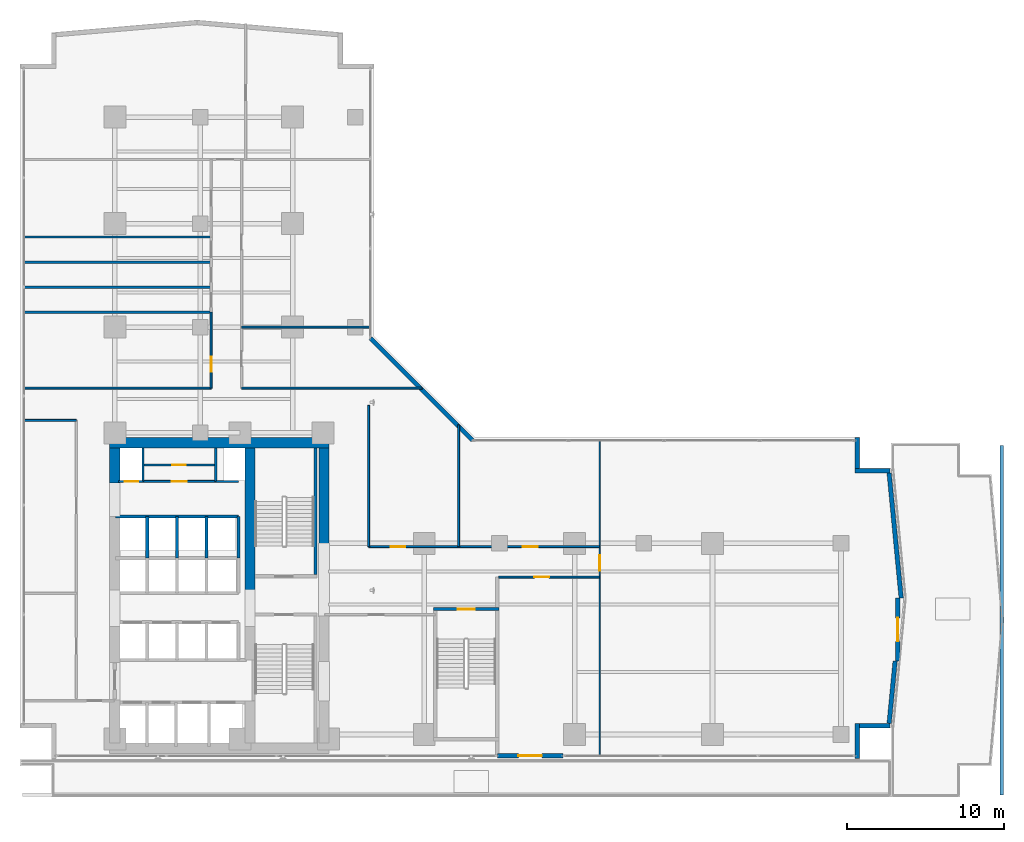
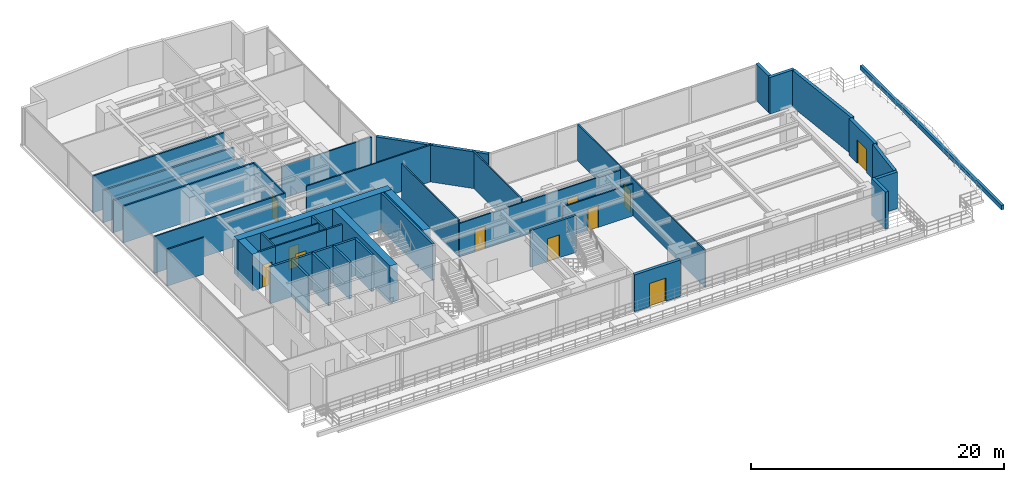
# One storey, part 19 of 26: 41 walls, 11 doors, 11 openings.
"""IFC4 building model written with IfcOpenShell, lengths in metres."""

from ifc_helpers import new_model, si_unit, direction, frame, frame_2d, origin, place, context, subcontext, project, spatial, rectangle, extrude, material, layer, layer_set, type_object, element, fill, save


model = new_model("IFC4")

# Units and contexts
model_context = context("Model", 3, precision=1e-05, world=origin(), true_north=direction((0.0, 1.0)))
body_context = subcontext(model_context, "Body", "Model", "MODEL_VIEW")
ifc_project = project(units=[si_unit("LENGTHUNIT", "METRE"), si_unit("AREAUNIT", "SQUARE_METRE"), si_unit("VOLUMEUNIT", "CUBIC_METRE"), si_unit("PLANEANGLEUNIT", "RADIAN"), si_unit("MASSUNIT", "GRAM", prefix="KILO")], contexts=[model_context])

# Site, building, storey
site_placement = place(None, origin())
site = spatial("IfcSite", under=ifc_project, at=site_placement, CompositionType="ELEMENT")
building_placement = place(site_placement, origin())
building = spatial("IfcBuilding", under=site, at=building_placement, Name="Kolvaren Waterfront Exchange", CompositionType="ELEMENT")
storey_placement = place(building_placement, frame((0.0, 0.0, 87.89990234375)))
storey = spatial("IfcBuildingStorey", under=building, at=storey_placement, Name="L22", CompositionType="ELEMENT", Elevation=87.89990234375)

# Wall, opening, door
ifc_material_1 = material(Name="Precast concrete C40/50", Category="concrete")
ifc_layer_1 = layer(ifc_material_1, 0.280029296875, Name="Precast concrete C40/50")
ifc_layer_set_1 = layer_set([ifc_layer_1], Name="Precast concrete C40/50")
wall_type_1 = type_object("IfcWallType", Name="ARC-EXT-TERR-280", PredefinedType="SOLIDWALL", material=ifc_layer_set_1)
wall_1_placement = place(storey_placement, frame((57.419921875, 9.89990234375, 0.0), z_axis=(0.0, 0.0, 1.0), x_axis=(0.0, 1.0, 0.0)))
wall_1 = element("IfcWall", 1, at=wall_1_placement, inside=storey, type_object=wall_type_1, Name="L22 east sky-garden access wall 1", PredefinedType="SOLIDWALL", context=body_context, shape_type="SweptSolid", body=[
    extrude(rectangle(XDim=4.0, YDim=0.280029296875, at=frame_2d((2.0, 0.0))), origin(), (0.0, 0.0, 1.0), 3.5400390625),
])
opening_1_placement = place(wall_1_placement, frame((1.25, 0.0, 0.0)))
opening_1 = element("IfcOpeningElement", 2, at=opening_1_placement, cuts=wall_1, Name="Opening TD1", PredefinedType="OPENING", context=body_context, shape_type="SweptSolid", body=[
    extrude(rectangle(XDim=1.5, YDim=2.25, at=frame_2d((0.75, 1.125))), frame((0.0, 0.14990234375, 0.0), z_axis=(0.0, -1.0, 0.0), x_axis=(1.0, 0.0, 0.0)), (0.0, 0.0, 1.0), 0.300048828125),
])
ifc_material_2 = material(Name="Anodised bronze aluminium and glass", Category="aluminium")
door_type_1 = type_object("IfcDoorType", Name="ARC-TD-1500", OperationType="NOTDEFINED", PredefinedType="DOOR", material=ifc_material_2)
door_1_placement = place(opening_1_placement, frame((1.5, 0.0, 0.0), z_axis=(0.0, 0.0, 1.0), x_axis=(-1.0, 0.0, 0.0)))
door_1 = element("IfcDoor", 3, at=door_1_placement, inside=storey, type_object=door_type_1, Name="L22 planted sky-garden terrace door 1", OperationType="SINGLE_SWING_LEFT", OverallHeight=2.25, OverallWidth=1.5, PredefinedType="DOOR", context=body_context, shape_type="SweptSolid", body=[
    extrude(rectangle(XDim=1.5, YDim=2.25, at=frame_2d((0.75, 1.125))), frame((0.0, 0.02490234375, 0.0), z_axis=(0.0, -1.0, 0.0), x_axis=(1.0, 0.0, 0.0)), (0.0, 0.0, 1.0), 0.050048828125),
])
fill(opening_1, door_1)

wall_2_placement = place(storey_placement, frame((31.860107421875, 3.840087890625, 0.0), z_axis=(0.0, 0.0, 1.0), x_axis=(1.0, 0.0, 0.0)))
wall_2 = element("IfcWall", 4, at=wall_2_placement, inside=storey, type_object=wall_type_1, Name="L22 south sky-garden access wall 2", PredefinedType="SOLIDWALL", context=body_context, shape_type="SweptSolid", body=[
    extrude(rectangle(XDim=4.18994140625, YDim=0.280029296875, at=frame_2d((2.094970703125, 0.0))), origin(), (0.0, 0.0, 1.0), 3.5400390625),
])
opening_2_placement = place(wall_2_placement, frame((1.35009765625, 0.0, 0.0)))
opening_2 = element("IfcOpeningElement", 5, at=opening_2_placement, cuts=wall_2, Name="Opening TD1", PredefinedType="OPENING", context=body_context, shape_type="SweptSolid", body=[
    extrude(rectangle(XDim=1.5, YDim=2.25, at=frame_2d((0.75, 1.125))), frame((0.0, 0.14990234375, 0.0), z_axis=(0.0, -1.0, 0.0), x_axis=(1.0, 0.0, 0.0)), (0.0, 0.0, 1.0), 0.300048828125),
])
door_2_placement = place(opening_2_placement, frame((1.5, 0.0, 0.0), z_axis=(0.0, 0.0, 1.0), x_axis=(-1.0, 0.0, 0.0)))
door_2 = element("IfcDoor", 6, at=door_2_placement, inside=storey, type_object=door_type_1, Name="L22 planted sky-garden terrace door 2", OperationType="SINGLE_SWING_RIGHT", OverallHeight=2.25, OverallWidth=1.5, PredefinedType="DOOR", context=body_context, shape_type="SweptSolid", body=[
    extrude(rectangle(XDim=1.5, YDim=2.25, at=frame_2d((0.75, 1.125))), frame((0.0, 0.02490234375, 0.0), z_axis=(0.0, -1.0, 0.0), x_axis=(1.0, 0.0, 0.0)), (0.0, 0.0, 1.0), 0.050048828125),
])
fill(opening_2, door_2)

# Walls
wall_3_placement = place(storey_placement, frame((54.840087890625, 3.659912109375, 0.0), z_axis=(0.0, 0.0, 1.0), x_axis=(0.0, 1.0, 0.0)))
element("IfcWall", 7, at=wall_3_placement, inside=storey, type_object=wall_type_1, Name="L22 notched corner spandrel pier SE-A", PredefinedType="SOLIDWALL", context=body_context, shape_type="SweptSolid", body=[
    extrude(rectangle(XDim=2.239990234375, YDim=0.280029296875, at=frame_2d((1.1201171875, 0.0))), origin(), (0.0, 0.0, 1.0), 3.5400390625),
])
wall_4_placement = place(storey_placement, frame((54.97998046875, 5.760009765625, 0.0), z_axis=(0.0, 0.0, 1.0), x_axis=(1.0, 0.0, 0.0)))
element("IfcWall", 8, at=wall_4_placement, inside=storey, type_object=wall_type_1, Name="L22 notched corner spandrel pier SE-B", PredefinedType="SOLIDWALL", context=body_context, shape_type="SweptSolid", body=[
    extrude(rectangle(XDim=1.9599609375, YDim=0.280029296875, at=frame_2d((0.97998046875, 0.0))), origin(), (0.0, 0.0, 1.0), 3.5400390625),
])
wall_5_placement = place(storey_placement, frame((54.840087890625, 22.1650390625, 0.0), z_axis=(0.0, 0.0, 1.0), x_axis=(0.0, 1.0, 0.0)))
element("IfcWall", 9, at=wall_5_placement, inside=storey, type_object=wall_type_1, Name="L22 notched corner spandrel pier ENE-A", PredefinedType="SOLIDWALL", context=body_context, shape_type="SweptSolid", body=[
    extrude(rectangle(XDim=1.974853515625, YDim=0.280029296875, at=frame_2d((0.9873046875, 0.0))), origin(), (0.0, 0.0, 1.0), 3.5400390625),
])
wall_6_placement = place(storey_placement, frame((54.699951171875, 22.0400390625, 0.0), z_axis=(0.0, 0.0, 1.0), x_axis=(1.0, 0.0, 0.0)))
element("IfcWall", 10, at=wall_6_placement, inside=storey, type_object=wall_type_1, Name="L22 notched corner spandrel pier ENE-B", PredefinedType="SOLIDWALL", context=body_context, shape_type="SweptSolid", body=[
    extrude(rectangle(XDim=2.239990234375, YDim=0.280029296875, at=frame_2d((1.1201171875, 0.0))), origin(), (0.0, 0.0, 1.0), 3.5400390625),
])
wall_7_placement = place(storey_placement, frame((30.284912109375, 23.97509765625, 0.0), z_axis=(0.0, 0.0, 1.0), x_axis=(-0.707106781187, 0.707106781187, 0.0)))
element("IfcWall", 11, at=wall_7_placement, inside=storey, type_object=wall_type_1, Name="L22 notched corner spandrel pier ELBOW", PredefinedType="SOLIDWALL", context=body_context, shape_type="SweptSolid", body=[
    extrude(rectangle(XDim=9.20654296875, YDim=0.280029296875, at=frame_2d((4.603271484375, 0.0))), origin(), (0.0, 0.0, 1.0), 3.5400390625),
])
wall_8_placement = place(storey_placement, frame((56.869384765625, 5.9140625, 0.0), z_axis=(0.0, 0.0, 1.0), x_axis=(0.095962807789, 0.99538492028, 0.0)))
element("IfcWall", 12, at=wall_8_placement, inside=storey, type_object=wall_type_1, Name="L22 east prow lower facade wall", PredefinedType="SOLIDWALL", context=body_context, shape_type="SweptSolid", body=[
    extrude(rectangle(XDim=3.994384765625, YDim=0.280029296875, at=frame_2d((1.9970703125, 0.0))), origin(), (0.0, 0.0, 1.0), 3.5400390625),
])
wall_9_placement = place(storey_placement, frame((57.63818359375, 13.909912109375, 0.0), z_axis=(0.0, 0.0, 1.0), x_axis=(-0.095943464516, 0.995386784932, 0.0)))
element("IfcWall", 13, at=wall_9_placement, inside=storey, type_object=wall_type_1, Name="L22 east prow upper facade wall", PredefinedType="SOLIDWALL", context=body_context, shape_type="SweptSolid", body=[
    extrude(rectangle(XDim=8.012939453125, YDim=0.280029296875, at=frame_2d((4.00634765625, 0.0))), origin(), (0.0, 0.0, 1.0), 3.5400390625),
])
ifc_layer_2 = layer(ifc_material_1, 0.239990234375, Name="Precast concrete C40/50")
ifc_layer_set_2 = layer_set([ifc_layer_2], Name="Precast concrete C40/50")
wall_type_2 = type_object("IfcWallType", Name="ARC-PARAPET-240", PredefinedType="PARAPET", material=ifc_layer_set_2)
wall_10_placement = place(storey_placement, frame((64.050048828125, 1.35009765625, 0.0), z_axis=(0.0, 0.0, 1.0), x_axis=(0.0, 1.0, 0.0)))
element("IfcWall", 14, at=wall_10_placement, inside=storey, type_object=wall_type_2, Name="L22 setback parapet kerb 1", PredefinedType="PARAPET", context=body_context, shape_type="SweptSolid", body=[
    extrude(rectangle(XDim=22.2998046875, YDim=0.239990234375, at=frame_2d((11.14990234375, 0.0))), origin(), (0.0, 0.0, 1.0), 0.420166015625),
])

# Wall, opening, door
ifc_material_3 = material(Name="Acoustic gypsum steel stud", Category="steel")
ifc_layer_3 = layer(ifc_material_3, 0.125, Name="Acoustic gypsum steel stud")
ifc_layer_set_3 = layer_set([ifc_layer_3], Name="Acoustic gypsum steel stud")
wall_type_3 = type_object("IfcWallType", Name="ARC-PART-125", PredefinedType="PARTITIONING", material=ifc_layer_set_3)
wall_11_placement = place(storey_placement, frame((9.25, 21.35009765625, 0.0), z_axis=(0.0, 0.0, 1.0), x_axis=(1.0, 0.0, 0.0)))
wall_11 = element("IfcWall", 15, at=wall_11_placement, inside=storey, type_object=wall_type_3, Name="L22 interior wall PW-L22-SVC-EX-S", PredefinedType="PARTITIONING", context=body_context, shape_type="SweptSolid", body=[
    extrude(rectangle(XDim=4.64990234375, YDim=0.125, at=frame_2d((2.324951171875, 0.0))), origin(), (0.0, 0.0, 1.0), 3.5400390625),
])
opening_3_placement = place(wall_11_placement, frame((1.85009765625, 0.0, 0.0)))
opening_3 = element("IfcOpeningElement", 16, at=opening_3_placement, cuts=wall_11, Name="Opening D02", PredefinedType="OPENING", context=body_context, shape_type="SweptSolid", body=[
    extrude(rectangle(XDim=0.949951171875, YDim=2.14990234375, at=frame_2d((0.47509765625, 1.074951171875))), frame((0.0, 0.072509765625, 0.0), z_axis=(0.0, -1.0, 0.0), x_axis=(1.0, 0.0, 0.0)), (0.0, 0.0, 1.0), 0.14501953125),
])
ifc_material_4 = material(Name="Oak veneer acoustic timber", Category="wood")
door_type_2 = type_object("IfcDoorType", Name="ARC-DR-950", OperationType="NOTDEFINED", PredefinedType="DOOR", material=ifc_material_4)
door_3_placement = place(opening_3_placement, origin())
door_3 = element("IfcDoor", 17, at=door_3_placement, inside=storey, type_object=door_type_2, Name="L22 door DR-L22-SVC-DR-1 (D02)", OperationType="SINGLE_SWING_RIGHT", OverallHeight=2.14990234375, OverallWidth=0.949951171875, PredefinedType="DOOR", context=body_context, shape_type="SweptSolid", body=[
    extrude(rectangle(XDim=0.949951171875, YDim=2.14990234375, at=frame_2d((0.47509765625, 1.074951171875))), frame((0.0, 0.02490234375, 0.0), z_axis=(0.0, -1.0, 0.0), x_axis=(1.0, 0.0, 0.0)), (0.0, 0.0, 1.0), 0.050048828125),
])
fill(opening_3, door_3)

wall_12_placement = place(storey_placement, frame((9.25, 22.39990234375, 0.0), z_axis=(0.0, 0.0, 1.0), x_axis=(1.0, 0.0, 0.0)))
wall_12 = element("IfcWall", 18, at=wall_12_placement, inside=storey, type_object=wall_type_3, Name="L22 interior wall PW-L22-SVC-EX-HS", PredefinedType="PARTITIONING", context=body_context, shape_type="SweptSolid", body=[
    extrude(rectangle(XDim=4.64990234375, YDim=0.125, at=frame_2d((2.324951171875, 0.0))), origin(), (0.0, 0.0, 1.0), 3.5400390625),
])
opening_4_placement = place(wall_12_placement, frame((1.875, 0.0, 0.0)))
opening_4 = element("IfcOpeningElement", 19, at=opening_4_placement, cuts=wall_12, Name="Opening D01", PredefinedType="OPENING", context=body_context, shape_type="SweptSolid", body=[
    extrude(rectangle(XDim=0.85009765625, YDim=2.14990234375, at=frame_2d((0.425048828125, 1.074951171875))), frame((0.0, 0.072509765625, 0.0), z_axis=(0.0, -1.0, 0.0), x_axis=(1.0, 0.0, 0.0)), (0.0, 0.0, 1.0), 0.14501953125),
])
ifc_material_5 = material(Name="Oak veneer timber leaf", Category="wood")
door_type_3 = type_object("IfcDoorType", Name="ARC-DR-900", OperationType="NOTDEFINED", PredefinedType="DOOR", material=ifc_material_5)
door_4_placement = place(opening_4_placement, origin())
door_4 = element("IfcDoor", 20, at=door_4_placement, inside=storey, type_object=door_type_3, Name="L22 door DR-L22-SVC-DR-2 (D01)", OperationType="SINGLE_SWING_LEFT", OverallHeight=2.14990234375, OverallWidth=0.85009765625, PredefinedType="DOOR", context=body_context, shape_type="SweptSolid", body=[
    extrude(rectangle(XDim=0.85009765625, YDim=2.14990234375, at=frame_2d((0.425048828125, 1.074951171875))), frame((0.0, 0.02490234375, 0.0), z_axis=(0.0, -1.0, 0.0), x_axis=(1.0, 0.0, 0.0)), (0.0, 0.0, 1.0), 0.050048828125),
])
fill(opening_4, door_4)

wall_13_placement = place(storey_placement, frame((13.60009765625, 27.300048828125, 0.0), z_axis=(0.0, 0.0, 1.0), x_axis=(0.0, 1.0, 0.0)))
wall_13 = element("IfcWall", 21, at=wall_13_placement, inside=storey, type_object=wall_type_3, Name="L22 interior wall PW-L22-PREWC-E", PredefinedType="PARTITIONING", context=body_context, shape_type="SweptSolid", body=[
    extrude(rectangle(XDim=4.849853515625, YDim=0.125, at=frame_2d((2.4248046875, 0.0))), origin(), (0.0, 0.0, 1.0), 3.5400390625),
])
opening_5_placement = place(wall_13_placement, frame((1.050048828125, 0.0, 0.0)))
opening_5 = element("IfcOpeningElement", 22, at=opening_5_placement, cuts=wall_13, Name="Opening D02", PredefinedType="OPENING", context=body_context, shape_type="SweptSolid", body=[
    extrude(rectangle(XDim=0.949951171875, YDim=2.14990234375, at=frame_2d((0.47509765625, 1.074951171875))), frame((0.0, 0.072509765625, 0.0), z_axis=(0.0, -1.0, 0.0), x_axis=(1.0, 0.0, 0.0)), (0.0, 0.0, 1.0), 0.14501953125),
])
door_5_placement = place(opening_5_placement, origin())
door_5 = element("IfcDoor", 23, at=door_5_placement, inside=storey, type_object=door_type_2, Name="L22 door DR-L22-PREWC-D (D02)", OperationType="SINGLE_SWING_RIGHT", OverallHeight=2.14990234375, OverallWidth=0.949951171875, PredefinedType="DOOR", context=body_context, shape_type="SweptSolid", body=[
    extrude(rectangle(XDim=0.949951171875, YDim=2.14990234375, at=frame_2d((0.47509765625, 1.074951171875))), frame((0.0, 0.02490234375, 0.0), z_axis=(0.0, -1.0, 0.0), x_axis=(1.0, 0.0, 0.0)), (0.0, 0.0, 1.0), 0.050048828125),
])
fill(opening_5, door_5)

# Walls
wall_14_placement = place(storey_placement, frame((1.639892578125, 27.300048828125, 0.0), z_axis=(0.0, 0.0, 1.0), x_axis=(1.0, 0.0, 0.0)))
element("IfcWall", 24, at=wall_14_placement, inside=storey, type_object=wall_type_3, Name="L22 interior wall PW-L22-PREWC-S", PredefinedType="PARTITIONING", context=body_context, shape_type="SweptSolid", body=[
    extrude(rectangle(XDim=11.960205078125, YDim=0.125, at=frame_2d((5.97998046875, 0.0))), origin(), (0.0, 0.0, 1.0), 3.5400390625),
])
wall_15_placement = place(storey_placement, frame((1.639892578125, 25.25, 0.0), z_axis=(0.0, 0.0, 1.0), x_axis=(1.0, 0.0, 0.0)))
element("IfcWall", 25, at=wall_15_placement, inside=storey, type_object=wall_type_3, Name="L22 interior wall PW-L22-WFLANK-N", PredefinedType="PARTITIONING", context=body_context, shape_type="SweptSolid", body=[
    extrude(rectangle(XDim=3.360107421875, YDim=0.125, at=frame_2d((1.68017578125, 0.0))), origin(), (0.0, 0.0, 1.0), 3.5400390625),
])

# Wall, opening, door
wall_16_placement = place(storey_placement, frame((31.949951171875, 15.25, 0.0), z_axis=(0.0, 0.0, 1.0), x_axis=(1.0, 0.0, 0.0)))
wall_16 = element("IfcWall", 26, at=wall_16_placement, inside=storey, type_object=wall_type_3, Name="L22 interior wall PW-L22-ES-CORR", PredefinedType="PARTITIONING", context=body_context, shape_type="SweptSolid", body=[
    extrude(rectangle(XDim=6.449951171875, YDim=0.125, at=frame_2d((3.22509765625, 0.0))), origin(), (0.0, 0.0, 1.0), 3.090087890625),
])
opening_6_placement = place(wall_16_placement, frame((2.27490234375, 0.0, 0.0)))
opening_6 = element("IfcOpeningElement", 27, at=opening_6_placement, cuts=wall_16, Name="Opening D02", PredefinedType="OPENING", context=body_context, shape_type="SweptSolid", body=[
    extrude(rectangle(XDim=0.949951171875, YDim=2.14990234375, at=frame_2d((0.47509765625, 1.074951171875))), frame((0.0, 0.072509765625, 0.0), z_axis=(0.0, -1.0, 0.0), x_axis=(1.0, 0.0, 0.0)), (0.0, 0.0, 1.0), 0.14501953125),
])
door_6_placement = place(opening_6_placement, origin())
door_6 = element("IfcDoor", 28, at=door_6_placement, inside=storey, type_object=door_type_2, Name="L22 door DR-L22-ES-D-1 (D02)", OperationType="SINGLE_SWING_RIGHT", OverallHeight=2.14990234375, OverallWidth=0.949951171875, PredefinedType="DOOR", context=body_context, shape_type="SweptSolid", body=[
    extrude(rectangle(XDim=0.949951171875, YDim=2.14990234375, at=frame_2d((0.47509765625, 1.074951171875))), frame((0.0, 0.02490234375, 0.0), z_axis=(0.0, -1.0, 0.0), x_axis=(1.0, 0.0, 0.0)), (0.0, 0.0, 1.0), 0.050048828125),
])
fill(opening_6, door_6)

wall_17_placement = place(storey_placement, frame((38.39990234375, 3.840087890625, 0.0), z_axis=(0.0, 0.0, 1.0), x_axis=(0.0, 1.0, 0.0)))
wall_17 = element("IfcWall", 29, at=wall_17_placement, inside=storey, type_object=wall_type_3, Name="L22 interior wall PW-L22-ETIP-W", PredefinedType="PARTITIONING", context=body_context, shape_type="SweptSolid", body=[
    extrude(rectangle(XDim=20.119873046875, YDim=0.125, at=frame_2d((10.06005859375, 0.0))), origin(), (0.0, 0.0, 1.0), 3.5400390625),
])
opening_7_placement = place(wall_17_placement, frame((11.81005859375, 0.0, 0.0)))
opening_7 = element("IfcOpeningElement", 30, at=opening_7_placement, cuts=wall_17, Name="Opening D03", PredefinedType="OPENING", context=body_context, shape_type="SweptSolid", body=[
    extrude(rectangle(XDim=1.0, YDim=2.199951171875, at=frame_2d((0.5, 1.10009765625))), frame((0.0, 0.072509765625, 0.0), z_axis=(0.0, -1.0, 0.0), x_axis=(1.0, 0.0, 0.0)), (0.0, 0.0, 1.0), 0.14501953125),
])
ifc_material_6 = material(Name="Oak veneer accessible timber", Category="wood")
door_type_4 = type_object("IfcDoorType", Name="ARC-DR-1000", OperationType="NOTDEFINED", PredefinedType="DOOR", material=ifc_material_6)
door_7_placement = place(opening_7_placement, origin())
door_7 = element("IfcDoor", 31, at=door_7_placement, inside=storey, type_object=door_type_4, Name="L22 door DR-L22-ETIP-D (D03)", OperationType="SINGLE_SWING_LEFT", OverallHeight=2.199951171875, OverallWidth=1.0, PredefinedType="DOOR", context=body_context, shape_type="SweptSolid", body=[
    extrude(rectangle(XDim=1.0, YDim=2.199951171875, at=frame_2d((0.5, 1.10009765625))), frame((0.0, 0.02490234375, 0.0), z_axis=(0.0, -1.0, 0.0), x_axis=(1.0, 0.0, 0.0)), (0.0, 0.0, 1.0), 0.050048828125),
])
fill(opening_7, door_7)

# Wall
wall_18_placement = place(storey_placement, frame((23.64990234375, 17.18994140625, 0.0), z_axis=(0.0, 0.0, 1.0), x_axis=(0.0, 1.0, 0.0)))
element("IfcWall", 32, at=wall_18_placement, inside=storey, type_object=wall_type_3, Name="L22 interior wall PW-L22-EN-W0", PredefinedType="PARTITIONING", context=body_context, shape_type="SweptSolid", body=[
    extrude(rectangle(XDim=9.010009765625, YDim=0.125, at=frame_2d((4.5048828125, 0.0))), origin(), (0.0, 0.0, 1.0), 3.5400390625),
])

# Wall, openings, doors
wall_19_placement = place(storey_placement, frame((23.64990234375, 17.18994140625, 0.0), z_axis=(0.0, 0.0, 1.0), x_axis=(1.0, 0.0, 0.0)))
wall_19 = element("IfcWall", 33, at=wall_19_placement, inside=storey, type_object=wall_type_3, Name="L22 interior wall PW-L22-EN-CORR", PredefinedType="PARTITIONING", context=body_context, shape_type="SweptSolid", body=[
    extrude(rectangle(XDim=14.75, YDim=0.125, at=frame_2d((7.375, 0.0))), origin(), (0.0, 0.0, 1.0), 3.239990234375),
])
opening_8_placement = place(wall_19_placement, frame((1.39990234375, 0.0, 0.0)))
opening_8 = element("IfcOpeningElement", 34, at=opening_8_placement, cuts=wall_19, Name="Opening D02", PredefinedType="OPENING", context=body_context, shape_type="SweptSolid", body=[
    extrude(rectangle(XDim=0.949951171875, YDim=2.14990234375, at=frame_2d((0.47509765625, 1.074951171875))), frame((0.0, 0.072509765625, 0.0), z_axis=(0.0, -1.0, 0.0), x_axis=(1.0, 0.0, 0.0)), (0.0, 0.0, 1.0), 0.14501953125),
])
opening_9_placement = place(wall_19_placement, frame((9.84619140625, 0.0, 0.0)))
opening_9 = element("IfcOpeningElement", 35, at=opening_9_placement, cuts=wall_19, Name="Opening D02", PredefinedType="OPENING", context=body_context, shape_type="SweptSolid", body=[
    extrude(rectangle(XDim=0.949951171875, YDim=2.14990234375, at=frame_2d((0.47509765625, 1.074951171875))), frame((0.0, 0.072509765625, 0.0), z_axis=(0.0, -1.0, 0.0), x_axis=(1.0, 0.0, 0.0)), (0.0, 0.0, 1.0), 0.14501953125),
])
door_8_placement = place(opening_8_placement, origin())
door_8 = element("IfcDoor", 36, at=door_8_placement, inside=storey, type_object=door_type_2, Name="L22 door DR-L22-EN-D-1 (D02)", OperationType="SINGLE_SWING_RIGHT", OverallHeight=2.14990234375, OverallWidth=0.949951171875, PredefinedType="DOOR", context=body_context, shape_type="SweptSolid", body=[
    extrude(rectangle(XDim=0.949951171875, YDim=2.14990234375, at=frame_2d((0.47509765625, 1.074951171875))), frame((0.0, 0.02490234375, 0.0), z_axis=(0.0, -1.0, 0.0), x_axis=(1.0, 0.0, 0.0)), (0.0, 0.0, 1.0), 0.050048828125),
])
fill(opening_8, door_8)
door_9_placement = place(opening_9_placement, origin())
door_9 = element("IfcDoor", 37, at=door_9_placement, inside=storey, type_object=door_type_2, Name="L22 door DR-L22-EN-D-2 (D02)", OperationType="SINGLE_SWING_LEFT", OverallHeight=2.14990234375, OverallWidth=0.949951171875, PredefinedType="DOOR", context=body_context, shape_type="SweptSolid", body=[
    extrude(rectangle(XDim=0.949951171875, YDim=2.14990234375, at=frame_2d((0.47509765625, 1.074951171875))), frame((0.0, 0.02490234375, 0.0), z_axis=(0.0, -1.0, 0.0), x_axis=(1.0, 0.0, 0.0)), (0.0, 0.0, 1.0), 0.050048828125),
])
fill(opening_9, door_9)

# Walls
wall_20_placement = place(storey_placement, frame((29.39990234375, 17.18994140625, 0.0), z_axis=(0.0, 0.0, 1.0), x_axis=(0.0, 1.0, 0.0)))
element("IfcWall", 38, at=wall_20_placement, inside=storey, type_object=wall_type_3, Name="L22 interior wall PW-L22-EN-DIV-1", PredefinedType="PARTITIONING", context=body_context, shape_type="SweptSolid", body=[
    extrude(rectangle(XDim=7.77001953125, YDim=0.125, at=frame_2d((3.885009765625, 0.0))), origin(), (0.0, 0.0, 1.0), 3.5400390625),
])
wall_21_placement = place(storey_placement, frame((15.5400390625, 27.300048828125, 0.0), z_axis=(0.0, 0.0, 1.0), x_axis=(1.0, 0.0, 0.0)))
element("IfcWall", 39, at=wall_21_placement, inside=storey, type_object=wall_type_3, Name="L22 interior wall PW-L22-NE-S0", PredefinedType="PARTITIONING", context=body_context, shape_type="SweptSolid", body=[
    extrude(rectangle(XDim=11.52001953125, YDim=0.125, at=frame_2d((5.760009765625, 0.0))), origin(), (0.0, 0.0, 1.0), 3.5400390625),
])
wall_22_placement = place(storey_placement, frame((15.5400390625, 31.199951171875, 0.0), z_axis=(0.0, 0.0, 1.0), x_axis=(1.0, 0.0, 0.0)))
element("IfcWall", 40, at=wall_22_placement, inside=storey, type_object=wall_type_3, Name="L22 interior wall PW-L22-NE-DIV-1", PredefinedType="PARTITIONING", context=body_context, shape_type="SweptSolid", body=[
    extrude(rectangle(XDim=8.219970703125, YDim=0.125, at=frame_2d((4.10986328125, 0.0))), origin(), (0.0, 0.0, 1.0), 3.0400390625),
])
ifc_material_7 = material(Name="Gypsum fireboard steel stud", Category="steel")
ifc_layer_4 = layer(ifc_material_7, 0.14990234375, Name="Gypsum fireboard steel stud")
ifc_layer_set_4 = layer_set([ifc_layer_4], Name="Gypsum fireboard steel stud")
wall_type_4 = type_object("IfcWallType", Name="ARC-PART-150", PredefinedType="PARTITIONING", material=ifc_layer_set_4)
for number, where, z_axis, x_axis, name in (
    (41, (9.25, 21.35009765625, 0.0), (0.0, 0.0, 1.0), (0.0, 1.0, 0.0), "L22 interior wall PW-L22-SVC-R1"),
    (42, (13.89990234375, 21.35009765625, 0.0), (0.0, 0.0, 1.0), (0.0, 1.0, 0.0), "L22 interior wall PW-L22-SVC-R2"),
):
    element("IfcWall", number, at=place(storey_placement, frame(where, z_axis=z_axis, x_axis=x_axis)), inside=storey, type_object=wall_type_4, Name=name, PredefinedType="PARTITIONING", context=body_context, shape_type="SweptSolid", body=[
        extrude(rectangle(XDim=2.1298828125, YDim=0.14990234375, at=frame_2d((1.06494140625, 0.0))), origin(), (0.0, 0.0, 1.0), 3.5400390625),
    ])

# Wall, opening, door
wall_23_placement = place(storey_placement, frame((7.699951171875, 21.35009765625, 0.0), z_axis=(0.0, 0.0, 1.0), x_axis=(1.0, 0.0, 0.0)))
wall_23 = element("IfcWall", 43, at=wall_23_placement, inside=storey, type_object=wall_type_4, Name="L22 interior wall PW-L22-SVC-RE-S", PredefinedType="PARTITIONING", context=body_context, shape_type="SweptSolid", body=[
    extrude(rectangle(XDim=1.550048828125, YDim=0.14990234375, at=frame_2d((0.77490234375, 0.0))), origin(), (0.0, 0.0, 1.0), 3.5400390625),
])
opening_10_placement = place(wall_23_placement, frame((0.389892578125, 0.0, 0.0)))
opening_10 = element("IfcOpeningElement", 44, at=opening_10_placement, cuts=wall_23, Name="Opening FD1", PredefinedType="OPENING", context=body_context, shape_type="SweptSolid", body=[
    extrude(rectangle(XDim=0.85009765625, YDim=2.14990234375, at=frame_2d((0.425048828125, 1.074951171875))), frame((0.0, 0.0849609375, 0.0), z_axis=(0.0, -1.0, 0.0), x_axis=(1.0, 0.0, 0.0)), (0.0, 0.0, 1.0), 0.169921875),
])
ifc_material_8 = material(Name="Pressed steel fire leaf", Category="steel")
door_type_5 = type_object("IfcDoorType", Name="ARC-FD-900", OperationType="NOTDEFINED", PredefinedType="DOOR", material=ifc_material_8)
door_10_placement = place(opening_10_placement, origin())
door_10 = element("IfcDoor", 45, at=door_10_placement, inside=storey, type_object=door_type_5, Name="L22 door DR-L22-RISER-E-DR (FD1)", OperationType="SINGLE_SWING_LEFT", OverallHeight=2.14990234375, OverallWidth=0.85009765625, PredefinedType="DOOR", context=body_context, shape_type="SweptSolid", body=[
    extrude(rectangle(XDim=0.85009765625, YDim=2.14990234375, at=frame_2d((0.425048828125, 1.074951171875))), frame((0.0, 0.02490234375, 0.0), z_axis=(0.0, -1.0, 0.0), x_axis=(1.0, 0.0, 0.0)), (0.0, 0.0, 1.0), 0.050048828125),
])
fill(opening_10, door_10)

# Walls
wall_24_placement = place(storey_placement, frame((13.89990234375, 21.35009765625, 0.0), z_axis=(0.0, 0.0, 1.0), x_axis=(1.0, 0.0, 0.0)))
element("IfcWall", 46, at=wall_24_placement, inside=storey, type_object=wall_type_4, Name="L22 interior wall PW-L22-SVC-RP-S", PredefinedType="PARTITIONING", context=body_context, shape_type="SweptSolid", body=[
    extrude(rectangle(XDim=1.4501953125, YDim=0.14990234375, at=frame_2d((0.72509765625, 0.0))), origin(), (0.0, 0.0, 1.0), 3.5400390625),
])
ifc_material_9 = material(Name="Moisture-resistant gypsum stud")
ifc_layer_5 = layer(ifc_material_9, 0.14990234375, Name="Moisture-resistant gypsum stud")
ifc_layer_set_5 = layer_set([ifc_layer_5], Name="Moisture-resistant gypsum stud")
wall_type_5 = type_object("IfcWallType", Name="ARC-PLUMB-150", PredefinedType="PLUMBINGWALL", material=ifc_layer_set_5)
wall_25_placement = place(storey_placement, frame((1.639892578125, 32.14990234375, 0.0), z_axis=(0.0, 0.0, 1.0), x_axis=(1.0, 0.0, 0.0)))
element("IfcWall", 47, at=wall_25_placement, inside=storey, type_object=wall_type_5, Name="L22 interior wall PW-L22-WC-0", PredefinedType="PLUMBINGWALL", context=body_context, shape_type="SweptSolid", body=[
    extrude(rectangle(XDim=11.960205078125, YDim=0.14990234375, at=frame_2d((5.97998046875, 0.0))), origin(), (0.0, 0.0, 1.0), 3.5400390625),
])
for number, where, z_axis, x_axis, name in (
    (48, (1.639892578125, 33.75, 0.0), (0.0, 0.0, 1.0), (1.0, 0.0, 0.0), "L22 interior wall PW-L22-WC-1"),
    (49, (1.639892578125, 35.35009765625, 0.0), (0.0, 0.0, 1.0), (1.0, 0.0, 0.0), "L22 interior wall PW-L22-WC-2"),
):
    element("IfcWall", number, at=place(storey_placement, frame(where, z_axis=z_axis, x_axis=x_axis)), inside=storey, type_object=wall_type_5, Name=name, PredefinedType="PLUMBINGWALL", context=body_context, shape_type="SweptSolid", body=[
        extrude(rectangle(XDim=11.960205078125, YDim=0.14990234375, at=frame_2d((5.97998046875, 0.0))), origin(), (0.0, 0.0, 1.0), 3.090087890625),
    ])
wall_26_placement = place(storey_placement, frame((1.639892578125, 36.949951171875, 0.0), z_axis=(0.0, 0.0, 1.0), x_axis=(1.0, 0.0, 0.0)))
element("IfcWall", 50, at=wall_26_placement, inside=storey, type_object=wall_type_5, Name="L22 interior wall PW-L22-WC-3", PredefinedType="PLUMBINGWALL", context=body_context, shape_type="SweptSolid", body=[
    extrude(rectangle(XDim=11.960205078125, YDim=0.14990234375, at=frame_2d((5.97998046875, 0.0))), origin(), (0.0, 0.0, 1.0), 3.5400390625),
])
ifc_material_10 = material(Name="Concrete C40/50", Category="concrete")
ifc_layer_6 = layer(ifc_material_10, 0.199951171875, Name="Concrete C40/50")
ifc_layer_set_6 = layer_set([ifc_layer_6], Name="Concrete C40/50")
wall_type_6 = type_object("IfcWallType", Name="ARC-SHAFT-200", PredefinedType="PARTITIONING", material=ifc_layer_set_6)
wall_27_placement = place(storey_placement, frame((20.260009765625, 15.39990234375, 0.0), z_axis=(0.0, 0.0, 1.0), x_axis=(0.0, 1.0, 0.0)))
element("IfcWall", 51, at=wall_27_placement, inside=storey, type_object=wall_type_6, Name="L22 structural stairwell wall PW-L22-ST2-E", PredefinedType="SHEAR", context=body_context, shape_type="SweptSolid", body=[
    extrude(rectangle(XDim=8.090087890625, YDim=0.199951171875, at=frame_2d((4.044921875, 0.0))), origin(), (0.0, 0.0, 1.0), 3.5400390625),
])

# Wall, opening, door
wall_28_placement = place(storey_placement, frame((27.800048828125, 13.199951171875, 0.0), z_axis=(0.0, 0.0, 1.0), x_axis=(1.0, 0.0, 0.0)))
wall_28 = element("IfcWall", 52, at=wall_28_placement, inside=storey, type_object=wall_type_6, Name="L22 structural stairwell wall PW-L22-ST3-N", PredefinedType="SHEAR", context=body_context, shape_type="SweptSolid", body=[
    extrude(rectangle(XDim=4.159912109375, YDim=0.199951171875, at=frame_2d((2.080078125, 0.0))), origin(), (0.0, 0.0, 1.0), 3.5400390625),
])
opening_11_placement = place(wall_28_placement, frame((1.530029296875, 0.0, 0.0)))
opening_11 = element("IfcOpeningElement", 53, at=opening_11_placement, cuts=wall_28, Name="Opening FD2", PredefinedType="OPENING", context=body_context, shape_type="SweptSolid", body=[
    extrude(rectangle(XDim=1.10009765625, YDim=2.199951171875, at=frame_2d((0.550048828125, 1.10009765625))), frame((0.0, 0.10986328125, 0.0), z_axis=(0.0, -1.0, 0.0), x_axis=(1.0, 0.0, 0.0)), (0.0, 0.0, 1.0), 0.219970703125),
])
ifc_material_11 = material(Name="Pressed steel smoke-seal fire door", Category="steel")
door_type_6 = type_object("IfcDoorType", Name="ARC-FD-1100", OperationType="NOTDEFINED", PredefinedType="DOOR", material=ifc_material_11)
door_11_placement = place(opening_11_placement, frame((1.10009765625, 0.0, 0.0), z_axis=(0.0, 0.0, 1.0), x_axis=(-1.0, 0.0, 0.0)))
door_11 = element("IfcDoor", 54, at=door_11_placement, inside=storey, type_object=door_type_6, Name="L22 door DR-L22-ST3-IN (FD2)", OperationType="SINGLE_SWING_LEFT", OverallHeight=2.199951171875, OverallWidth=1.10009765625, PredefinedType="DOOR", context=body_context, shape_type="SweptSolid", body=[
    extrude(rectangle(XDim=1.10009765625, YDim=2.199951171875, at=frame_2d((0.550048828125, 1.10009765625))), frame((0.0, 0.02490234375, 0.0), z_axis=(0.0, -1.0, 0.0), x_axis=(1.0, 0.0, 0.0)), (0.0, 0.0, 1.0), 0.050048828125),
])
fill(opening_11, door_11)

# Walls
wall_29_placement = place(storey_placement, frame((7.5, 19.1201171875, 0.0), z_axis=(0.0, 0.0, 1.0), x_axis=(1.0, 0.0, 0.0)))
element("IfcWall", 55, at=wall_29_placement, inside=storey, type_object=wall_type_6, Name="L22 interior wall PW-L22-PH-N", PredefinedType="PARTITIONING", context=body_context, shape_type="SweptSolid", body=[
    extrude(rectangle(XDim=7.85009765625, YDim=0.199951171875, at=frame_2d((3.925048828125, 0.0))), origin(), (0.0, 0.0, 1.0), 3.5400390625),
])
for number, where, z_axis, x_axis, name in (
    (56, (15.35009765625, 16.449951171875, 0.0), (0.0, 0.0, 1.0), (0.0, 1.0, 0.0), "L22 interior wall PW-L22-PH-E"),
    (57, (9.52001953125, 16.449951171875, 0.0), (0.0, 0.0, 1.0), (0.0, 1.0, 0.0), "L22 interior wall PW-L22-SH4-DIV-95"),
    (58, (11.409912109375, 16.449951171875, 0.0), (0.0, 0.0, 1.0), (0.0, 1.0, 0.0), "L22 interior wall PW-L22-SH4-DIV-114"),
    (59, (13.300048828125, 16.449951171875, 0.0), (0.0, 0.0, 1.0), (0.0, 1.0, 0.0), "L22 interior wall PW-L22-SH4-DIV-133"),
):
    element("IfcWall", number, at=place(storey_placement, frame(where, z_axis=z_axis, x_axis=x_axis)), inside=storey, type_object=wall_type_6, Name=name, PredefinedType="PARTITIONING", context=body_context, shape_type="SweptSolid", body=[
        extrude(rectangle(XDim=2.670166015625, YDim=0.199951171875, at=frame_2d((1.3349609375, 0.0))), origin(), (0.0, 0.0, 1.0), 3.5400390625),
    ])
ifc_material_12 = material(Name="Concrete C60/75", Category="concrete")
ifc_layer_7 = layer(ifc_material_12, 0.64990234375, Name="Concrete C60/75")
ifc_layer_set_7 = layer_set([ifc_layer_7], Name="Concrete C60/75")
wall_type_7 = type_object("IfcWallType", Name="STR-CWALL-650", PredefinedType="SHEAR", material=ifc_layer_set_7)
wall_30_placement = place(storey_placement, frame((7.125, 23.824951171875, 0.0), z_axis=(0.0, 0.0, 1.0), x_axis=(1.0, 0.0, 0.0)))
element("IfcWall", 60, at=wall_30_placement, inside=storey, type_object=wall_type_7, Name="L22 rear-core shear wall N", PredefinedType="SHEAR", context=body_context, shape_type="SweptSolid", body=[
    extrude(rectangle(XDim=14.0, YDim=0.64990234375, at=frame_2d((7.0, 0.0))), origin(), (0.0, 0.0, 1.0), 3.5400390625),
])
wall_31_placement = place(storey_placement, frame((7.449951171875, 21.239990234375, 0.0), z_axis=(0.0, 0.0, 1.0), x_axis=(0.0, 1.0, 0.0)))
element("IfcWall", 61, at=wall_31_placement, inside=storey, type_object=wall_type_7, Name="L22 rear-core shear wall W3", PredefinedType="SHEAR", context=body_context, shape_type="SweptSolid", body=[
    extrude(rectangle(XDim=2.260009765625, YDim=0.64990234375, at=frame_2d((1.1298828125, 0.0))), origin(), (0.0, 0.0, 1.0), 3.5400390625),
])
wall_32_placement = place(storey_placement, frame((20.800048828125, 17.35009765625, 0.0), z_axis=(0.0, 0.0, 1.0), x_axis=(0.0, 1.0, 0.0)))
element("IfcWall", 62, at=wall_32_placement, inside=storey, type_object=wall_type_7, Name="L22 rear-core shear wall E3", PredefinedType="SHEAR", context=body_context, shape_type="SweptSolid", body=[
    extrude(rectangle(XDim=6.14990234375, YDim=0.64990234375, at=frame_2d((3.074951171875, 0.0))), origin(), (0.0, 0.0, 1.0), 3.5400390625),
])
wall_33_placement = place(storey_placement, frame((16.074951171875, 14.39990234375, 0.0), z_axis=(0.0, 0.0, 1.0), x_axis=(0.0, 1.0, 0.0)))
element("IfcWall", 63, at=wall_33_placement, inside=storey, type_object=wall_type_7, Name="L22 rear-core shear wall M3", PredefinedType="SHEAR", context=body_context, shape_type="SweptSolid", body=[
    extrude(rectangle(XDim=9.10009765625, YDim=0.64990234375, at=frame_2d((4.550048828125, 0.0))), origin(), (0.0, 0.0, 1.0), 3.5400390625),
])

save(model, "model.ifc")
